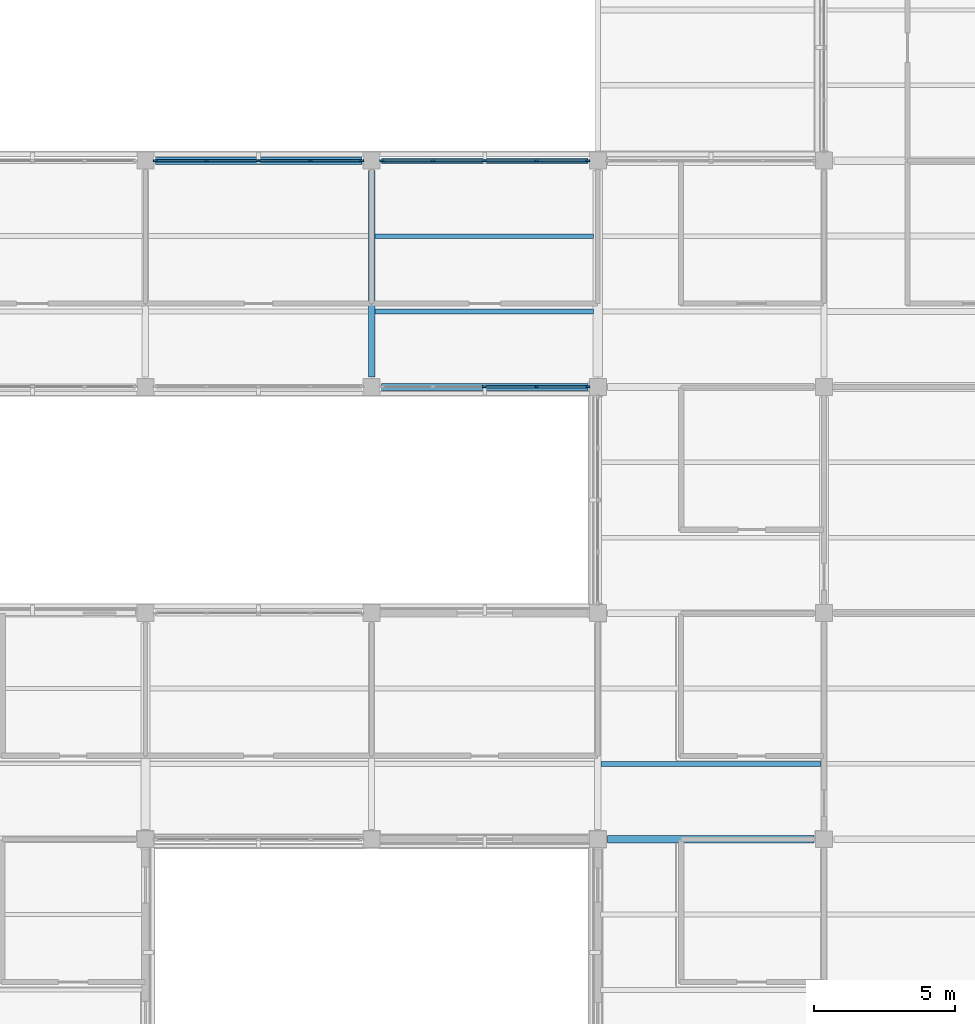
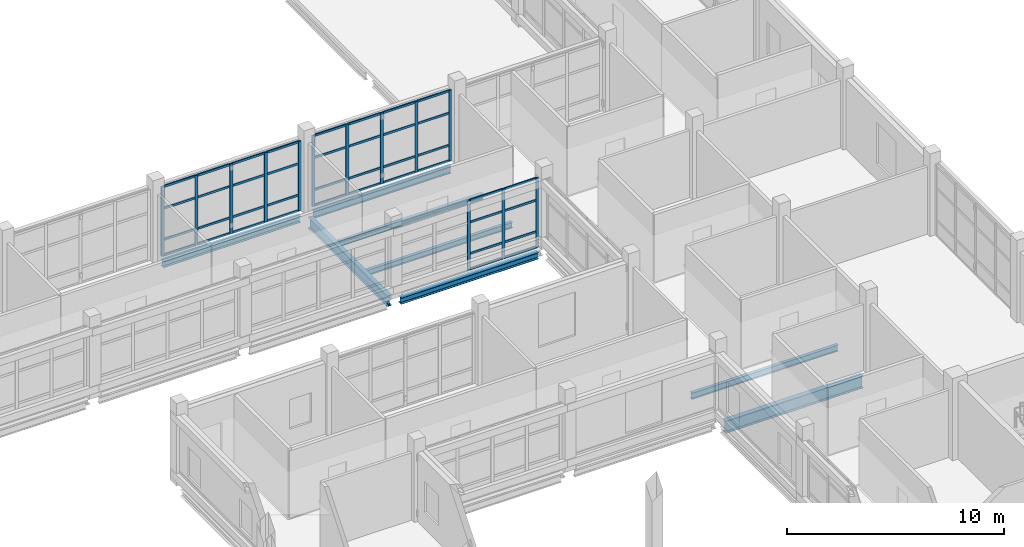
# One storey, part 49 of 121: 53 members, 8 beams, 3 elements without a shape of their own.
"""IFC4 building model written with IfcOpenShell, lengths in metres."""

from ifc_helpers import new_model, si_unit, derived_unit, direction, frame, origin, origin_2d, place, context, subcontext, project, spatial, rectangle, i_section, extrude, material, layer, layer_set, material_profile, profile_set, type_object, element, aggregate, save


model = new_model("IFC4")

# Units and contexts
model_context = context("Model", 3, precision=1e-05, world=origin(), true_north=direction((0.0, 1.0)))
body_context = subcontext(model_context, "Body", "Model", "MODEL_VIEW")
ifc_project = project(units=[si_unit("LENGTHUNIT", "METRE"), si_unit("AREAUNIT", "SQUARE_METRE"), si_unit("VOLUMEUNIT", "CUBIC_METRE"), si_unit("PLANEANGLEUNIT", "RADIAN"), si_unit("MASSUNIT", "GRAM", prefix="KILO"), derived_unit("THERMALTRANSMITTANCEUNIT", [(si_unit("MASSUNIT", "GRAM", prefix="KILO"), 1), (si_unit("TIMEUNIT", "SECOND"), -3), (si_unit("THERMODYNAMICTEMPERATUREUNIT", "KELVIN"), -1)])], contexts=[model_context])

# Site, building, storey
site_placement = place(None, origin())
site = spatial("IfcSite", under=ifc_project, at=site_placement, CompositionType="ELEMENT")
building_placement = place(site_placement, origin())
building = spatial("IfcBuilding", under=site, at=building_placement, Name="Veyamyaing Civic Hall", CompositionType="ELEMENT")
storey_placement = place(building_placement, frame((0.0, 0.0, 5.280029296875)))
storey = spatial("IfcBuildingStorey", under=building, at=storey_placement, Name="L01", CompositionType="ELEMENT", Elevation=5.280029296875)

# Beams
ifc_material_1 = material(Name="Steel ASTM A992", Category="steel")
ifc_material_profile_1 = material_profile(ifc_material_1, i_section(OverallWidth=0.256103515625, OverallDepth=0.693115234375, WebThickness=0.014404296875, FlangeThickness=0.023681640625, FilletRadius=0.013916015625, at=origin_2d()), Name="W690X170")
ifc_profile_set_1 = profile_set([ifc_material_profile_1], Name="Steel ASTM A992")
beam_type_1 = type_object("IfcBeamType", Name="B-04", PredefinedType="BEAM", material=ifc_profile_set_1)
beam_1_placement = place(storey_placement, frame((160.35009765625, 32.0, -0.591552734375), z_axis=(1.0, 0.0, 0.0), x_axis=(0.0, 1.0, 0.0)))
element("IfcBeam", 1, at=beam_1_placement, inside=storey, type_object=beam_type_1, Name="Girder B-04 L01 Grid E 21-22", PredefinedType="BEAM", context=body_context, shape_type="SweptSolid", body=[
    extrude(i_section(OverallWidth=0.256103515625, OverallDepth=0.693115234375, WebThickness=0.014404296875, FlangeThickness=0.023681640625, FilletRadius=0.013916015625, at=origin_2d()), origin(), (0.0, 0.0, 1.0), 7.2998046875),
])
ifc_material_profile_2 = material_profile(ifc_material_1, i_section(OverallWidth=0.22802734375, OverallDepth=0.60791015625, WebThickness=0.01123046875, FlangeThickness=0.017333984375, FilletRadius=0.012939453125, at=origin_2d()), Name="W610X113")
ifc_profile_set_2 = profile_set([ifc_material_profile_2], Name="Steel ASTM A992")
beam_type_2 = type_object("IfcBeamType", Name="B-06", PredefinedType="BEAM", material=ifc_profile_set_2)
beam_2_placement = place(storey_placement, frame((152.0, 48.35009765625, -0.549072265625), z_axis=(0.0, 1.0, 0.0), x_axis=(-1.0, 0.0, 0.0)))
element("IfcBeam", 2, at=beam_2_placement, inside=storey, type_object=beam_type_2, Name="Girder B-06 L01 Grid 20 G-H", PredefinedType="BEAM", context=body_context, shape_type="SweptSolid", body=[
    extrude(i_section(OverallWidth=0.22802734375, OverallDepth=0.60791015625, WebThickness=0.01123046875, FlangeThickness=0.017333984375, FilletRadius=0.012939453125, at=origin_2d()), origin(), (0.0, 0.0, 1.0), 7.2998046875),
])
ifc_material_profile_3 = material_profile(ifc_material_1, i_section(OverallWidth=0.179931640625, OverallDepth=0.4130859375, WebThickness=0.009765625, FlangeThickness=0.01611328125, FilletRadius=0.010009765625, at=origin_2d()), Name="W410X74")
ifc_profile_set_3 = profile_set([ifc_material_profile_3], Name="Steel ASTM A992")
beam_type_3 = type_object("IfcBeamType", Name="B-10", PredefinedType="SPANDREL", material=ifc_profile_set_3)
beam_3_placement = place(storey_placement, frame((152.35009765625, 56.0, -0.451416015625), z_axis=(1.0, 0.0, 0.0), x_axis=(0.0, 1.0, 0.0)))
element("IfcBeam", 3, at=beam_3_placement, inside=storey, type_object=beam_type_3, Name="Girder B-10 L01 Grid H 20-21", PredefinedType="SPANDREL", context=body_context, shape_type="SweptSolid", body=[
    extrude(i_section(OverallWidth=0.179931640625, OverallDepth=0.4130859375, WebThickness=0.009765625, FlangeThickness=0.01611328125, FilletRadius=0.010009765625, at=origin_2d()), origin(), (0.0, 0.0, 1.0), 7.2998046875),
])
ifc_material_profile_4 = material_profile(ifc_material_1, i_section(OverallWidth=0.25390625, OverallDepth=0.35302734375, WebThickness=0.009521484375, FlangeThickness=0.016357421875, FilletRadius=0.011962890625, at=origin_2d()), Name="W360X91")
ifc_profile_set_4 = profile_set([ifc_material_profile_4], Name="Steel ASTM A992")
beam_type_4 = type_object("IfcBeamType", Name="B-20", PredefinedType="SPANDREL", material=ifc_profile_set_4)
for number, where, z_axis, x_axis, name in (
    (4, (152.35009765625, 48.0, -0.421630859375), (1.0, 0.0, 0.0), (0.0, 1.0, 0.0), "Girder B-20 L01 Grid G 20-21"),
    (5, (144.35009765625, 56.0, -0.421630859375), (1.0, 0.0, 0.0), (0.0, 1.0, 0.0), "Girder B-20 L01 Grid H 19-20"),
):
    element("IfcBeam", number, at=place(storey_placement, frame(where, z_axis=z_axis, x_axis=x_axis)), inside=storey, type_object=beam_type_4, Name=name, PredefinedType="SPANDREL", context=body_context, shape_type="SweptSolid", body=[
        extrude(i_section(OverallWidth=0.25390625, OverallDepth=0.35302734375, WebThickness=0.009521484375, FlangeThickness=0.016357421875, FilletRadius=0.011962890625, at=origin_2d()), origin(), (0.0, 0.0, 1.0), 7.2998046875),
    ])

# Curtain wall, members
ifc_material_2 = material(Name="Anodised aluminium 6063-T6", Category="aluminium")
ifc_layer = layer(ifc_material_2, 0.159912109375, Name="Anodised aluminium 6063-T6")
ifc_layer_set = layer_set([ifc_layer], Name="Anodised aluminium 6063-T6")
curtain_wall_type = type_object("IfcCurtainWallType", Name="CW-02", PredefinedType="NOTDEFINED", material=ifc_layer_set)
curtain_wall_1_placement = place(storey_placement, origin())
curtain_wall_1 = element("IfcCurtainWall", 6, at=curtain_wall_1_placement, inside=storey, type_object=curtain_wall_type, Name="Unitized curtain wall CW-02 L01 N 19.7", PredefinedType="NOTDEFINED")
ifc_material_profile_5 = material_profile(ifc_material_2, rectangle(XDim=0.06494140625, YDim=0.159912109375, at=origin_2d()), Name="ALU-MUL-65X160")
ifc_profile_set_5 = profile_set([ifc_material_profile_5], Name="Anodised aluminium 6063-T6")
member_type_1 = type_object("IfcMemberType", Name="CWM-01", PredefinedType="MULLION", material=ifc_profile_set_5)
member_1_placement = place(storey_placement, frame((144.362548828125, 56.0, 0.0), z_axis=(0.0, 0.0, 1.0), x_axis=(0.0, 1.0, 0.0)))
member_1 = element("IfcMember", 7, at=member_1_placement, type_object=member_type_1, Name="CW-02 mullion 1", PredefinedType="MULLION", context=body_context, shape_type="SweptSolid", body=[
    extrude(rectangle(XDim=0.06494140625, YDim=0.159912109375, at=origin_2d()), origin(), (0.0, 0.0, 1.0), 3.9140625),
])
member_2_placement = place(storey_placement, frame((146.1650390625, 56.0, 0.0), z_axis=(0.0, 0.0, 1.0), x_axis=(0.0, 1.0, 0.0)))
member_2 = element("IfcMember", 8, at=member_2_placement, type_object=member_type_1, Name="CW-02 mullion 2", PredefinedType="MULLION", context=body_context, shape_type="SweptSolid", body=[
    extrude(rectangle(XDim=0.06494140625, YDim=0.159912109375, at=origin_2d()), origin(), (0.0, 0.0, 1.0), 3.9140625),
])
member_3_placement = place(storey_placement, frame((148.0, 56.0, 0.0), z_axis=(0.0, 0.0, 1.0), x_axis=(0.0, 1.0, 0.0)))
member_3 = element("IfcMember", 9, at=member_3_placement, type_object=member_type_1, Name="CW-02 mullion 3", PredefinedType="MULLION", context=body_context, shape_type="SweptSolid", body=[
    extrude(rectangle(XDim=0.06494140625, YDim=0.159912109375, at=origin_2d()), origin(), (0.0, 0.0, 1.0), 3.9140625),
])
member_4_placement = place(storey_placement, frame((149.8349609375, 56.0, 0.0), z_axis=(0.0, 0.0, 1.0), x_axis=(0.0, 1.0, 0.0)))
member_4 = element("IfcMember", 10, at=member_4_placement, type_object=member_type_1, Name="CW-02 mullion 4", PredefinedType="MULLION", context=body_context, shape_type="SweptSolid", body=[
    extrude(rectangle(XDim=0.06494140625, YDim=0.159912109375, at=origin_2d()), origin(), (0.0, 0.0, 1.0), 3.9140625),
])
member_5_placement = place(storey_placement, frame((151.637451171875, 56.0, 0.0), z_axis=(0.0, 0.0, 1.0), x_axis=(0.0, 1.0, 0.0)))
member_5 = element("IfcMember", 11, at=member_5_placement, type_object=member_type_1, Name="CW-02 mullion 5", PredefinedType="MULLION", context=body_context, shape_type="SweptSolid", body=[
    extrude(rectangle(XDim=0.06494140625, YDim=0.159912109375, at=origin_2d()), origin(), (0.0, 0.0, 1.0), 3.9140625),
])

curtain_wall_2_placement = place(storey_placement, origin())
curtain_wall_2 = element("IfcCurtainWall", 12, at=curtain_wall_2_placement, inside=storey, type_object=curtain_wall_type, Name="Unitized curtain wall CW-02 L01 S 20.7", PredefinedType="NOTDEFINED")
member_6_placement = place(storey_placement, frame((156.0, 48.0, 0.0), z_axis=(0.0, 0.0, 1.0), x_axis=(0.0, 1.0, 0.0)))
member_6 = element("IfcMember", 13, at=member_6_placement, type_object=member_type_1, Name="CW-02 mullion 3", PredefinedType="MULLION", context=body_context, shape_type="SweptSolid", body=[
    extrude(rectangle(XDim=0.06494140625, YDim=0.159912109375, at=origin_2d()), origin(), (0.0, 0.0, 1.0), 3.9140625),
])
member_7_placement = place(storey_placement, frame((157.8349609375, 48.0, 0.0), z_axis=(0.0, 0.0, 1.0), x_axis=(0.0, 1.0, 0.0)))
member_7 = element("IfcMember", 14, at=member_7_placement, type_object=member_type_1, Name="CW-02 mullion 4", PredefinedType="MULLION", context=body_context, shape_type="SweptSolid", body=[
    extrude(rectangle(XDim=0.06494140625, YDim=0.159912109375, at=origin_2d()), origin(), (0.0, 0.0, 1.0), 3.9140625),
])
member_8_placement = place(storey_placement, frame((159.637451171875, 48.0, 0.0), z_axis=(0.0, 0.0, 1.0), x_axis=(0.0, 1.0, 0.0)))
member_8 = element("IfcMember", 15, at=member_8_placement, type_object=member_type_1, Name="CW-02 mullion 5", PredefinedType="MULLION", context=body_context, shape_type="SweptSolid", body=[
    extrude(rectangle(XDim=0.06494140625, YDim=0.159912109375, at=origin_2d()), origin(), (0.0, 0.0, 1.0), 3.9140625),
])

curtain_wall_3_placement = place(storey_placement, origin())
curtain_wall_3 = element("IfcCurtainWall", 16, at=curtain_wall_3_placement, inside=storey, type_object=curtain_wall_type, Name="Unitized curtain wall CW-02 L01 N 20.7", PredefinedType="NOTDEFINED")
member_9_placement = place(storey_placement, frame((152.362548828125, 56.0, 0.0), z_axis=(0.0, 0.0, 1.0), x_axis=(0.0, 1.0, 0.0)))
member_9 = element("IfcMember", 17, at=member_9_placement, type_object=member_type_1, Name="CW-02 mullion 1", PredefinedType="MULLION", context=body_context, shape_type="SweptSolid", body=[
    extrude(rectangle(XDim=0.06494140625, YDim=0.159912109375, at=origin_2d()), origin(), (0.0, 0.0, 1.0), 3.97705078125),
])
member_10_placement = place(storey_placement, frame((154.1650390625, 56.0, 0.0), z_axis=(0.0, 0.0, 1.0), x_axis=(0.0, 1.0, 0.0)))
member_10 = element("IfcMember", 18, at=member_10_placement, type_object=member_type_1, Name="CW-02 mullion 2", PredefinedType="MULLION", context=body_context, shape_type="SweptSolid", body=[
    extrude(rectangle(XDim=0.06494140625, YDim=0.159912109375, at=origin_2d()), origin(), (0.0, 0.0, 1.0), 3.97705078125),
])
member_11_placement = place(storey_placement, frame((156.0, 56.0, 0.0), z_axis=(0.0, 0.0, 1.0), x_axis=(0.0, 1.0, 0.0)))
member_11 = element("IfcMember", 19, at=member_11_placement, type_object=member_type_1, Name="CW-02 mullion 3", PredefinedType="MULLION", context=body_context, shape_type="SweptSolid", body=[
    extrude(rectangle(XDim=0.06494140625, YDim=0.159912109375, at=origin_2d()), origin(), (0.0, 0.0, 1.0), 3.97705078125),
])
member_12_placement = place(storey_placement, frame((157.8349609375, 56.0, 0.0), z_axis=(0.0, 0.0, 1.0), x_axis=(0.0, 1.0, 0.0)))
member_12 = element("IfcMember", 20, at=member_12_placement, type_object=member_type_1, Name="CW-02 mullion 4", PredefinedType="MULLION", context=body_context, shape_type="SweptSolid", body=[
    extrude(rectangle(XDim=0.06494140625, YDim=0.159912109375, at=origin_2d()), origin(), (0.0, 0.0, 1.0), 3.97705078125),
])
member_13_placement = place(storey_placement, frame((159.637451171875, 56.0, 0.0), z_axis=(0.0, 0.0, 1.0), x_axis=(0.0, 1.0, 0.0)))
member_13 = element("IfcMember", 21, at=member_13_placement, type_object=member_type_1, Name="CW-02 mullion 5", PredefinedType="MULLION", context=body_context, shape_type="SweptSolid", body=[
    extrude(rectangle(XDim=0.06494140625, YDim=0.159912109375, at=origin_2d()), origin(), (0.0, 0.0, 1.0), 3.97705078125),
])

# Member
ifc_material_profile_6 = material_profile(ifc_material_2, rectangle(XDim=0.06494140625, YDim=0.1201171875, at=origin_2d()), Name="ALU-TRN-65X120")
ifc_profile_set_6 = profile_set([ifc_material_profile_6], Name="Anodised aluminium 6063-T6")
member_type_2 = type_object("IfcMemberType", Name="CWT-01", PredefinedType="USERDEFINED", material=ifc_profile_set_6)
member_14_placement = place(storey_placement, frame((144.39501953125, 56.0, 0.032470703125), z_axis=(1.0, 0.0, 0.0), x_axis=(0.0, 1.0, 0.0)))
member_14 = element("IfcMember", 22, at=member_14_placement, type_object=member_type_2, Name="CW-02 transom 1.1", ObjectType="TRANSOM", PredefinedType="USERDEFINED", context=body_context, shape_type="SweptSolid", body=[
    extrude(rectangle(XDim=0.06494140625, YDim=0.1201171875, at=origin_2d()), origin(), (0.0, 0.0, 1.0), 1.737548828125),
])

member_15_placement = place(storey_placement, frame((144.39501953125, 56.0, 0.89990234375), z_axis=(1.0, 0.0, 0.0), x_axis=(0.0, 1.0, 0.0)))
member_15 = element("IfcMember", 23, at=member_15_placement, type_object=member_type_2, Name="CW-02 transom 1.2", ObjectType="TRANSOM", PredefinedType="USERDEFINED", context=body_context, shape_type="SweptSolid", body=[
    extrude(rectangle(XDim=0.06494140625, YDim=0.1201171875, at=origin_2d()), origin(), (0.0, 0.0, 1.0), 1.737548828125),
])

member_16_placement = place(storey_placement, frame((144.39501953125, 56.0, 2.661376953125), z_axis=(1.0, 0.0, 0.0), x_axis=(0.0, 1.0, 0.0)))
member_16 = element("IfcMember", 24, at=member_16_placement, type_object=member_type_2, Name="CW-02 transom 1.3", ObjectType="TRANSOM", PredefinedType="USERDEFINED", context=body_context, shape_type="SweptSolid", body=[
    extrude(rectangle(XDim=0.06494140625, YDim=0.1201171875, at=origin_2d()), origin(), (0.0, 0.0, 1.0), 1.737548828125),
])

member_17_placement = place(storey_placement, frame((144.39501953125, 56.0, 3.881591796875), z_axis=(1.0, 0.0, 0.0), x_axis=(0.0, 1.0, 0.0)))
member_17 = element("IfcMember", 25, at=member_17_placement, type_object=member_type_2, Name="CW-02 transom 1.4", ObjectType="TRANSOM", PredefinedType="USERDEFINED", context=body_context, shape_type="SweptSolid", body=[
    extrude(rectangle(XDim=0.06494140625, YDim=0.1201171875, at=origin_2d()), origin(), (0.0, 0.0, 1.0), 1.737548828125),
])

member_18_placement = place(storey_placement, frame((146.197509765625, 56.0, 0.032470703125), z_axis=(1.0, 0.0, 0.0), x_axis=(0.0, 1.0, 0.0)))
member_18 = element("IfcMember", 26, at=member_18_placement, type_object=member_type_2, Name="CW-02 transom 2.1", ObjectType="TRANSOM", PredefinedType="USERDEFINED", context=body_context, shape_type="SweptSolid", body=[
    extrude(rectangle(XDim=0.06494140625, YDim=0.1201171875, at=origin_2d()), origin(), (0.0, 0.0, 1.0), 1.77001953125),
])

member_19_placement = place(storey_placement, frame((146.197509765625, 56.0, 0.89990234375), z_axis=(1.0, 0.0, 0.0), x_axis=(0.0, 1.0, 0.0)))
member_19 = element("IfcMember", 27, at=member_19_placement, type_object=member_type_2, Name="CW-02 transom 2.2", ObjectType="TRANSOM", PredefinedType="USERDEFINED", context=body_context, shape_type="SweptSolid", body=[
    extrude(rectangle(XDim=0.06494140625, YDim=0.1201171875, at=origin_2d()), origin(), (0.0, 0.0, 1.0), 1.77001953125),
])

member_20_placement = place(storey_placement, frame((146.197509765625, 56.0, 2.661376953125), z_axis=(1.0, 0.0, 0.0), x_axis=(0.0, 1.0, 0.0)))
member_20 = element("IfcMember", 28, at=member_20_placement, type_object=member_type_2, Name="CW-02 transom 2.3", ObjectType="TRANSOM", PredefinedType="USERDEFINED", context=body_context, shape_type="SweptSolid", body=[
    extrude(rectangle(XDim=0.06494140625, YDim=0.1201171875, at=origin_2d()), origin(), (0.0, 0.0, 1.0), 1.77001953125),
])

member_21_placement = place(storey_placement, frame((146.197509765625, 56.0, 3.881591796875), z_axis=(1.0, 0.0, 0.0), x_axis=(0.0, 1.0, 0.0)))
member_21 = element("IfcMember", 29, at=member_21_placement, type_object=member_type_2, Name="CW-02 transom 2.4", ObjectType="TRANSOM", PredefinedType="USERDEFINED", context=body_context, shape_type="SweptSolid", body=[
    extrude(rectangle(XDim=0.06494140625, YDim=0.1201171875, at=origin_2d()), origin(), (0.0, 0.0, 1.0), 1.77001953125),
])

member_22_placement = place(storey_placement, frame((148.032470703125, 56.0, 0.032470703125), z_axis=(1.0, 0.0, 0.0), x_axis=(0.0, 1.0, 0.0)))
member_22 = element("IfcMember", 30, at=member_22_placement, type_object=member_type_2, Name="CW-02 transom 3.1", ObjectType="TRANSOM", PredefinedType="USERDEFINED", context=body_context, shape_type="SweptSolid", body=[
    extrude(rectangle(XDim=0.06494140625, YDim=0.1201171875, at=origin_2d()), origin(), (0.0, 0.0, 1.0), 1.77001953125),
])

member_23_placement = place(storey_placement, frame((148.032470703125, 56.0, 0.89990234375), z_axis=(1.0, 0.0, 0.0), x_axis=(0.0, 1.0, 0.0)))
member_23 = element("IfcMember", 31, at=member_23_placement, type_object=member_type_2, Name="CW-02 transom 3.2", ObjectType="TRANSOM", PredefinedType="USERDEFINED", context=body_context, shape_type="SweptSolid", body=[
    extrude(rectangle(XDim=0.06494140625, YDim=0.1201171875, at=origin_2d()), origin(), (0.0, 0.0, 1.0), 1.77001953125),
])

member_24_placement = place(storey_placement, frame((148.032470703125, 56.0, 2.661376953125), z_axis=(1.0, 0.0, 0.0), x_axis=(0.0, 1.0, 0.0)))
member_24 = element("IfcMember", 32, at=member_24_placement, type_object=member_type_2, Name="CW-02 transom 3.3", ObjectType="TRANSOM", PredefinedType="USERDEFINED", context=body_context, shape_type="SweptSolid", body=[
    extrude(rectangle(XDim=0.06494140625, YDim=0.1201171875, at=origin_2d()), origin(), (0.0, 0.0, 1.0), 1.77001953125),
])

member_25_placement = place(storey_placement, frame((148.032470703125, 56.0, 3.881591796875), z_axis=(1.0, 0.0, 0.0), x_axis=(0.0, 1.0, 0.0)))
member_25 = element("IfcMember", 33, at=member_25_placement, type_object=member_type_2, Name="CW-02 transom 3.4", ObjectType="TRANSOM", PredefinedType="USERDEFINED", context=body_context, shape_type="SweptSolid", body=[
    extrude(rectangle(XDim=0.06494140625, YDim=0.1201171875, at=origin_2d()), origin(), (0.0, 0.0, 1.0), 1.77001953125),
])

member_26_placement = place(storey_placement, frame((149.867431640625, 56.0, 0.032470703125), z_axis=(1.0, 0.0, 0.0), x_axis=(0.0, 1.0, 0.0)))
member_26 = element("IfcMember", 34, at=member_26_placement, type_object=member_type_2, Name="CW-02 transom 4.1", ObjectType="TRANSOM", PredefinedType="USERDEFINED", context=body_context, shape_type="SweptSolid", body=[
    extrude(rectangle(XDim=0.06494140625, YDim=0.1201171875, at=origin_2d()), origin(), (0.0, 0.0, 1.0), 1.737548828125),
])

member_27_placement = place(storey_placement, frame((149.867431640625, 56.0, 0.89990234375), z_axis=(1.0, 0.0, 0.0), x_axis=(0.0, 1.0, 0.0)))
member_27 = element("IfcMember", 35, at=member_27_placement, type_object=member_type_2, Name="CW-02 transom 4.2", ObjectType="TRANSOM", PredefinedType="USERDEFINED", context=body_context, shape_type="SweptSolid", body=[
    extrude(rectangle(XDim=0.06494140625, YDim=0.1201171875, at=origin_2d()), origin(), (0.0, 0.0, 1.0), 1.737548828125),
])

member_28_placement = place(storey_placement, frame((149.867431640625, 56.0, 2.661376953125), z_axis=(1.0, 0.0, 0.0), x_axis=(0.0, 1.0, 0.0)))
member_28 = element("IfcMember", 36, at=member_28_placement, type_object=member_type_2, Name="CW-02 transom 4.3", ObjectType="TRANSOM", PredefinedType="USERDEFINED", context=body_context, shape_type="SweptSolid", body=[
    extrude(rectangle(XDim=0.06494140625, YDim=0.1201171875, at=origin_2d()), origin(), (0.0, 0.0, 1.0), 1.737548828125),
])

member_29_placement = place(storey_placement, frame((149.867431640625, 56.0, 3.881591796875), z_axis=(1.0, 0.0, 0.0), x_axis=(0.0, 1.0, 0.0)))
member_29 = element("IfcMember", 37, at=member_29_placement, type_object=member_type_2, Name="CW-02 transom 4.4", ObjectType="TRANSOM", PredefinedType="USERDEFINED", context=body_context, shape_type="SweptSolid", body=[
    extrude(rectangle(XDim=0.06494140625, YDim=0.1201171875, at=origin_2d()), origin(), (0.0, 0.0, 1.0), 1.737548828125),
])

aggregate(curtain_wall_1, [member_1, member_2, member_3, member_4, member_5, member_14, member_15, member_16, member_17, member_18, member_19, member_20, member_21, member_22, member_23, member_24, member_25, member_26, member_27, member_28, member_29])

member_30_placement = place(storey_placement, frame((156.032470703125, 48.0, 0.032470703125), z_axis=(1.0, 0.0, 0.0), x_axis=(0.0, 1.0, 0.0)))
member_30 = element("IfcMember", 38, at=member_30_placement, type_object=member_type_2, Name="CW-02 transom 3.1", ObjectType="TRANSOM", PredefinedType="USERDEFINED", context=body_context, shape_type="SweptSolid", body=[
    extrude(rectangle(XDim=0.06494140625, YDim=0.1201171875, at=origin_2d()), origin(), (0.0, 0.0, 1.0), 1.77001953125),
])

member_31_placement = place(storey_placement, frame((156.032470703125, 48.0, 0.89990234375), z_axis=(1.0, 0.0, 0.0), x_axis=(0.0, 1.0, 0.0)))
member_31 = element("IfcMember", 39, at=member_31_placement, type_object=member_type_2, Name="CW-02 transom 3.2", ObjectType="TRANSOM", PredefinedType="USERDEFINED", context=body_context, shape_type="SweptSolid", body=[
    extrude(rectangle(XDim=0.06494140625, YDim=0.1201171875, at=origin_2d()), origin(), (0.0, 0.0, 1.0), 1.77001953125),
])

member_32_placement = place(storey_placement, frame((156.032470703125, 48.0, 2.661376953125), z_axis=(1.0, 0.0, 0.0), x_axis=(0.0, 1.0, 0.0)))
member_32 = element("IfcMember", 40, at=member_32_placement, type_object=member_type_2, Name="CW-02 transom 3.3", ObjectType="TRANSOM", PredefinedType="USERDEFINED", context=body_context, shape_type="SweptSolid", body=[
    extrude(rectangle(XDim=0.06494140625, YDim=0.1201171875, at=origin_2d()), origin(), (0.0, 0.0, 1.0), 1.77001953125),
])

member_33_placement = place(storey_placement, frame((156.032470703125, 48.0, 3.881591796875), z_axis=(1.0, 0.0, 0.0), x_axis=(0.0, 1.0, 0.0)))
member_33 = element("IfcMember", 41, at=member_33_placement, type_object=member_type_2, Name="CW-02 transom 3.4", ObjectType="TRANSOM", PredefinedType="USERDEFINED", context=body_context, shape_type="SweptSolid", body=[
    extrude(rectangle(XDim=0.06494140625, YDim=0.1201171875, at=origin_2d()), origin(), (0.0, 0.0, 1.0), 1.77001953125),
])

member_34_placement = place(storey_placement, frame((157.867431640625, 48.0, 0.032470703125), z_axis=(1.0, 0.0, 0.0), x_axis=(0.0, 1.0, 0.0)))
member_34 = element("IfcMember", 42, at=member_34_placement, type_object=member_type_2, Name="CW-02 transom 4.1", ObjectType="TRANSOM", PredefinedType="USERDEFINED", context=body_context, shape_type="SweptSolid", body=[
    extrude(rectangle(XDim=0.06494140625, YDim=0.1201171875, at=origin_2d()), origin(), (0.0, 0.0, 1.0), 1.737548828125),
])

member_35_placement = place(storey_placement, frame((157.867431640625, 48.0, 0.89990234375), z_axis=(1.0, 0.0, 0.0), x_axis=(0.0, 1.0, 0.0)))
member_35 = element("IfcMember", 43, at=member_35_placement, type_object=member_type_2, Name="CW-02 transom 4.2", ObjectType="TRANSOM", PredefinedType="USERDEFINED", context=body_context, shape_type="SweptSolid", body=[
    extrude(rectangle(XDim=0.06494140625, YDim=0.1201171875, at=origin_2d()), origin(), (0.0, 0.0, 1.0), 1.737548828125),
])

member_36_placement = place(storey_placement, frame((157.867431640625, 48.0, 2.661376953125), z_axis=(1.0, 0.0, 0.0), x_axis=(0.0, 1.0, 0.0)))
member_36 = element("IfcMember", 44, at=member_36_placement, type_object=member_type_2, Name="CW-02 transom 4.3", ObjectType="TRANSOM", PredefinedType="USERDEFINED", context=body_context, shape_type="SweptSolid", body=[
    extrude(rectangle(XDim=0.06494140625, YDim=0.1201171875, at=origin_2d()), origin(), (0.0, 0.0, 1.0), 1.737548828125),
])

member_37_placement = place(storey_placement, frame((157.867431640625, 48.0, 3.881591796875), z_axis=(1.0, 0.0, 0.0), x_axis=(0.0, 1.0, 0.0)))
member_37 = element("IfcMember", 45, at=member_37_placement, type_object=member_type_2, Name="CW-02 transom 4.4", ObjectType="TRANSOM", PredefinedType="USERDEFINED", context=body_context, shape_type="SweptSolid", body=[
    extrude(rectangle(XDim=0.06494140625, YDim=0.1201171875, at=origin_2d()), origin(), (0.0, 0.0, 1.0), 1.737548828125),
])

aggregate(curtain_wall_2, [member_6, member_7, member_8, member_30, member_31, member_32, member_33, member_34, member_35, member_36, member_37])

member_38_placement = place(storey_placement, frame((152.39501953125, 56.0, 0.032470703125), z_axis=(1.0, 0.0, 0.0), x_axis=(0.0, 1.0, 0.0)))
member_38 = element("IfcMember", 46, at=member_38_placement, type_object=member_type_2, Name="CW-02 transom 1.1", ObjectType="TRANSOM", PredefinedType="USERDEFINED", context=body_context, shape_type="SweptSolid", body=[
    extrude(rectangle(XDim=0.06494140625, YDim=0.1201171875, at=origin_2d()), origin(), (0.0, 0.0, 1.0), 1.737548828125),
])

member_39_placement = place(storey_placement, frame((152.39501953125, 56.0, 0.89990234375), z_axis=(1.0, 0.0, 0.0), x_axis=(0.0, 1.0, 0.0)))
member_39 = element("IfcMember", 47, at=member_39_placement, type_object=member_type_2, Name="CW-02 transom 1.2", ObjectType="TRANSOM", PredefinedType="USERDEFINED", context=body_context, shape_type="SweptSolid", body=[
    extrude(rectangle(XDim=0.06494140625, YDim=0.1201171875, at=origin_2d()), origin(), (0.0, 0.0, 1.0), 1.737548828125),
])

member_40_placement = place(storey_placement, frame((152.39501953125, 56.0, 2.704345703125), z_axis=(1.0, 0.0, 0.0), x_axis=(0.0, 1.0, 0.0)))
member_40 = element("IfcMember", 48, at=member_40_placement, type_object=member_type_2, Name="CW-02 transom 1.3", ObjectType="TRANSOM", PredefinedType="USERDEFINED", context=body_context, shape_type="SweptSolid", body=[
    extrude(rectangle(XDim=0.06494140625, YDim=0.1201171875, at=origin_2d()), origin(), (0.0, 0.0, 1.0), 1.737548828125),
])

member_41_placement = place(storey_placement, frame((152.39501953125, 56.0, 3.944580078125), z_axis=(1.0, 0.0, 0.0), x_axis=(0.0, 1.0, 0.0)))
member_41 = element("IfcMember", 49, at=member_41_placement, type_object=member_type_2, Name="CW-02 transom 1.4", ObjectType="TRANSOM", PredefinedType="USERDEFINED", context=body_context, shape_type="SweptSolid", body=[
    extrude(rectangle(XDim=0.06494140625, YDim=0.1201171875, at=origin_2d()), origin(), (0.0, 0.0, 1.0), 1.737548828125),
])

member_42_placement = place(storey_placement, frame((154.197509765625, 56.0, 0.032470703125), z_axis=(1.0, 0.0, 0.0), x_axis=(0.0, 1.0, 0.0)))
member_42 = element("IfcMember", 50, at=member_42_placement, type_object=member_type_2, Name="CW-02 transom 2.1", ObjectType="TRANSOM", PredefinedType="USERDEFINED", context=body_context, shape_type="SweptSolid", body=[
    extrude(rectangle(XDim=0.06494140625, YDim=0.1201171875, at=origin_2d()), origin(), (0.0, 0.0, 1.0), 1.77001953125),
])

member_43_placement = place(storey_placement, frame((154.197509765625, 56.0, 0.89990234375), z_axis=(1.0, 0.0, 0.0), x_axis=(0.0, 1.0, 0.0)))
member_43 = element("IfcMember", 51, at=member_43_placement, type_object=member_type_2, Name="CW-02 transom 2.2", ObjectType="TRANSOM", PredefinedType="USERDEFINED", context=body_context, shape_type="SweptSolid", body=[
    extrude(rectangle(XDim=0.06494140625, YDim=0.1201171875, at=origin_2d()), origin(), (0.0, 0.0, 1.0), 1.77001953125),
])

member_44_placement = place(storey_placement, frame((154.197509765625, 56.0, 2.704345703125), z_axis=(1.0, 0.0, 0.0), x_axis=(0.0, 1.0, 0.0)))
member_44 = element("IfcMember", 52, at=member_44_placement, type_object=member_type_2, Name="CW-02 transom 2.3", ObjectType="TRANSOM", PredefinedType="USERDEFINED", context=body_context, shape_type="SweptSolid", body=[
    extrude(rectangle(XDim=0.06494140625, YDim=0.1201171875, at=origin_2d()), origin(), (0.0, 0.0, 1.0), 1.77001953125),
])

member_45_placement = place(storey_placement, frame((154.197509765625, 56.0, 3.944580078125), z_axis=(1.0, 0.0, 0.0), x_axis=(0.0, 1.0, 0.0)))
member_45 = element("IfcMember", 53, at=member_45_placement, type_object=member_type_2, Name="CW-02 transom 2.4", ObjectType="TRANSOM", PredefinedType="USERDEFINED", context=body_context, shape_type="SweptSolid", body=[
    extrude(rectangle(XDim=0.06494140625, YDim=0.1201171875, at=origin_2d()), origin(), (0.0, 0.0, 1.0), 1.77001953125),
])

member_46_placement = place(storey_placement, frame((156.032470703125, 56.0, 0.032470703125), z_axis=(1.0, 0.0, 0.0), x_axis=(0.0, 1.0, 0.0)))
member_46 = element("IfcMember", 54, at=member_46_placement, type_object=member_type_2, Name="CW-02 transom 3.1", ObjectType="TRANSOM", PredefinedType="USERDEFINED", context=body_context, shape_type="SweptSolid", body=[
    extrude(rectangle(XDim=0.06494140625, YDim=0.1201171875, at=origin_2d()), origin(), (0.0, 0.0, 1.0), 1.77001953125),
])

member_47_placement = place(storey_placement, frame((156.032470703125, 56.0, 0.89990234375), z_axis=(1.0, 0.0, 0.0), x_axis=(0.0, 1.0, 0.0)))
member_47 = element("IfcMember", 55, at=member_47_placement, type_object=member_type_2, Name="CW-02 transom 3.2", ObjectType="TRANSOM", PredefinedType="USERDEFINED", context=body_context, shape_type="SweptSolid", body=[
    extrude(rectangle(XDim=0.06494140625, YDim=0.1201171875, at=origin_2d()), origin(), (0.0, 0.0, 1.0), 1.77001953125),
])

member_48_placement = place(storey_placement, frame((156.032470703125, 56.0, 2.704345703125), z_axis=(1.0, 0.0, 0.0), x_axis=(0.0, 1.0, 0.0)))
member_48 = element("IfcMember", 56, at=member_48_placement, type_object=member_type_2, Name="CW-02 transom 3.3", ObjectType="TRANSOM", PredefinedType="USERDEFINED", context=body_context, shape_type="SweptSolid", body=[
    extrude(rectangle(XDim=0.06494140625, YDim=0.1201171875, at=origin_2d()), origin(), (0.0, 0.0, 1.0), 1.77001953125),
])

member_49_placement = place(storey_placement, frame((156.032470703125, 56.0, 3.944580078125), z_axis=(1.0, 0.0, 0.0), x_axis=(0.0, 1.0, 0.0)))
member_49 = element("IfcMember", 57, at=member_49_placement, type_object=member_type_2, Name="CW-02 transom 3.4", ObjectType="TRANSOM", PredefinedType="USERDEFINED", context=body_context, shape_type="SweptSolid", body=[
    extrude(rectangle(XDim=0.06494140625, YDim=0.1201171875, at=origin_2d()), origin(), (0.0, 0.0, 1.0), 1.77001953125),
])

member_50_placement = place(storey_placement, frame((157.867431640625, 56.0, 0.032470703125), z_axis=(1.0, 0.0, 0.0), x_axis=(0.0, 1.0, 0.0)))
member_50 = element("IfcMember", 58, at=member_50_placement, type_object=member_type_2, Name="CW-02 transom 4.1", ObjectType="TRANSOM", PredefinedType="USERDEFINED", context=body_context, shape_type="SweptSolid", body=[
    extrude(rectangle(XDim=0.06494140625, YDim=0.1201171875, at=origin_2d()), origin(), (0.0, 0.0, 1.0), 1.737548828125),
])

member_51_placement = place(storey_placement, frame((157.867431640625, 56.0, 0.89990234375), z_axis=(1.0, 0.0, 0.0), x_axis=(0.0, 1.0, 0.0)))
member_51 = element("IfcMember", 59, at=member_51_placement, type_object=member_type_2, Name="CW-02 transom 4.2", ObjectType="TRANSOM", PredefinedType="USERDEFINED", context=body_context, shape_type="SweptSolid", body=[
    extrude(rectangle(XDim=0.06494140625, YDim=0.1201171875, at=origin_2d()), origin(), (0.0, 0.0, 1.0), 1.737548828125),
])

member_52_placement = place(storey_placement, frame((157.867431640625, 56.0, 2.704345703125), z_axis=(1.0, 0.0, 0.0), x_axis=(0.0, 1.0, 0.0)))
member_52 = element("IfcMember", 60, at=member_52_placement, type_object=member_type_2, Name="CW-02 transom 4.3", ObjectType="TRANSOM", PredefinedType="USERDEFINED", context=body_context, shape_type="SweptSolid", body=[
    extrude(rectangle(XDim=0.06494140625, YDim=0.1201171875, at=origin_2d()), origin(), (0.0, 0.0, 1.0), 1.737548828125),
])

member_53_placement = place(storey_placement, frame((157.867431640625, 56.0, 3.944580078125), z_axis=(1.0, 0.0, 0.0), x_axis=(0.0, 1.0, 0.0)))
member_53 = element("IfcMember", 61, at=member_53_placement, type_object=member_type_2, Name="CW-02 transom 4.4", ObjectType="TRANSOM", PredefinedType="USERDEFINED", context=body_context, shape_type="SweptSolid", body=[
    extrude(rectangle(XDim=0.06494140625, YDim=0.1201171875, at=origin_2d()), origin(), (0.0, 0.0, 1.0), 1.737548828125),
])

aggregate(curtain_wall_3, [member_9, member_10, member_11, member_12, member_13, member_38, member_39, member_40, member_41, member_42, member_43, member_44, member_45, member_46, member_47, member_48, member_49, member_50, member_51, member_52, member_53])

# Beams
ifc_material_profile_7 = material_profile(ifc_material_1, i_section(OverallWidth=0.1708984375, OverallDepth=0.35205078125, WebThickness=0.0068359375, FlangeThickness=0.009765625, FilletRadius=0.010009765625, at=origin_2d()), Name="W360X44")
ifc_profile_set_7 = profile_set([ifc_material_profile_7], Name="Steel ASTM A992")
beam_type_5 = type_object("IfcBeamType", Name="J-03", PredefinedType="JOIST", material=ifc_profile_set_7)
beam_4_placement = place(storey_placement, frame((160.113037109375, 34.666748046875, -0.421142578125), z_axis=(1.0, 0.0, 0.0), x_axis=(0.0, 1.0, 0.0)))
element("IfcBeam", 62, at=beam_4_placement, inside=storey, type_object=beam_type_5, Name="Composite floor joist J-03 L01 21.5.1", PredefinedType="JOIST", context=body_context, shape_type="SweptSolid", body=[
    extrude(i_section(OverallWidth=0.1708984375, OverallDepth=0.35205078125, WebThickness=0.0068359375, FlangeThickness=0.009765625, FilletRadius=0.010009765625, at=origin_2d()), origin(), (0.0, 0.0, 1.0), 7.77490234375),
])
ifc_material_profile_8 = material_profile(ifc_material_1, i_section(OverallWidth=0.1669921875, OverallDepth=0.318115234375, WebThickness=0.007568359375, FlangeThickness=0.01318359375, FilletRadius=0.010009765625, at=origin_2d()), Name="W310X52")
ifc_profile_set_8 = profile_set([ifc_material_profile_8], Name="Steel ASTM A992")
beam_type_6 = type_object("IfcBeamType", Name="J-04", PredefinedType="JOIST", material=ifc_profile_set_8)
for number, where, z_axis, x_axis, name in (
    (63, (152.112060546875, 50.666748046875, -0.404052734375), (1.0, 0.0, 0.0), (0.0, 1.0, 0.0), "Composite floor joist J-04 L01 20.7.1"),
    (64, (152.112060546875, 53.333251953125, -0.404052734375), (1.0, 0.0, 0.0), (0.0, 1.0, 0.0), "Composite floor joist J-04 L01 20.7.2"),
):
    element("IfcBeam", number, at=place(storey_placement, frame(where, z_axis=z_axis, x_axis=x_axis)), inside=storey, type_object=beam_type_6, Name=name, PredefinedType="JOIST", context=body_context, shape_type="SweptSolid", body=[
        extrude(i_section(OverallWidth=0.1669921875, OverallDepth=0.318115234375, WebThickness=0.007568359375, FlangeThickness=0.01318359375, FilletRadius=0.010009765625, at=origin_2d()), origin(), (0.0, 0.0, 1.0), 7.7275390625),
    ])

save(model, "model.ifc")
